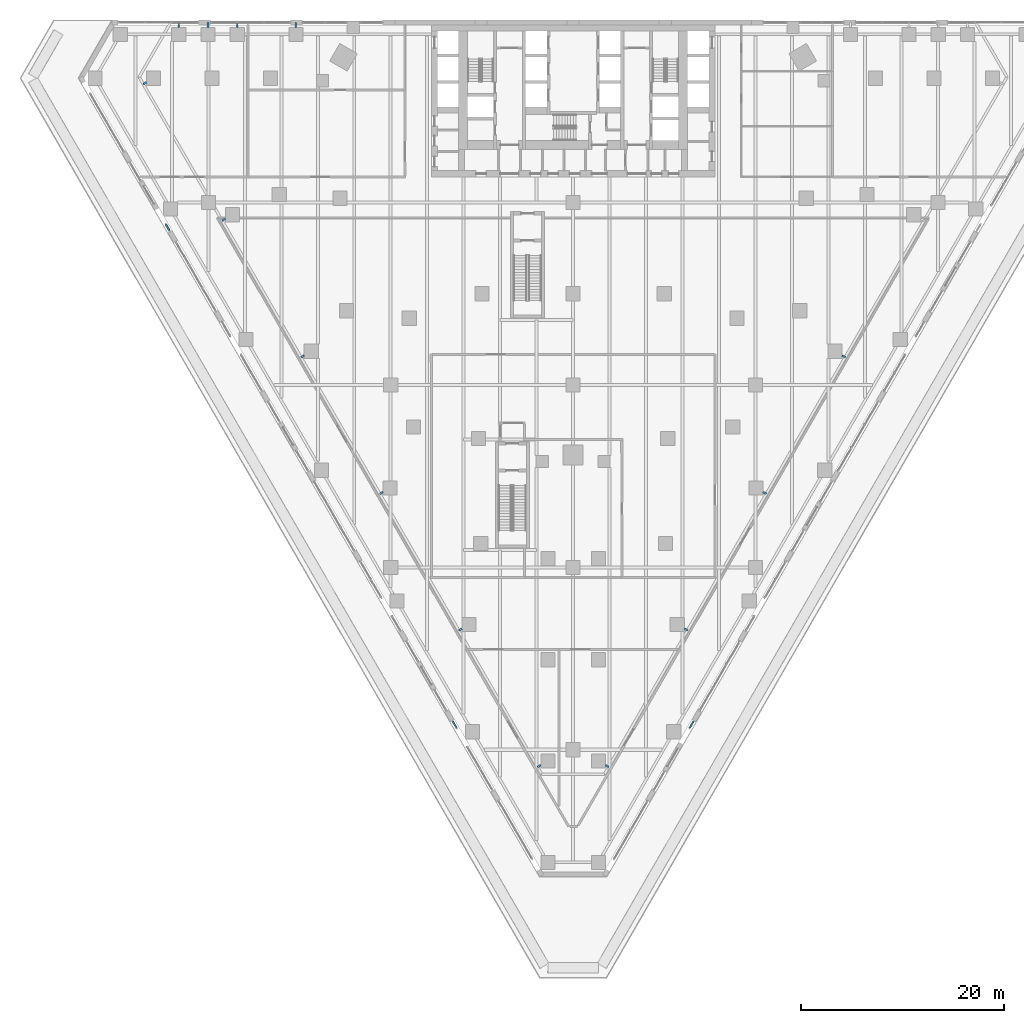
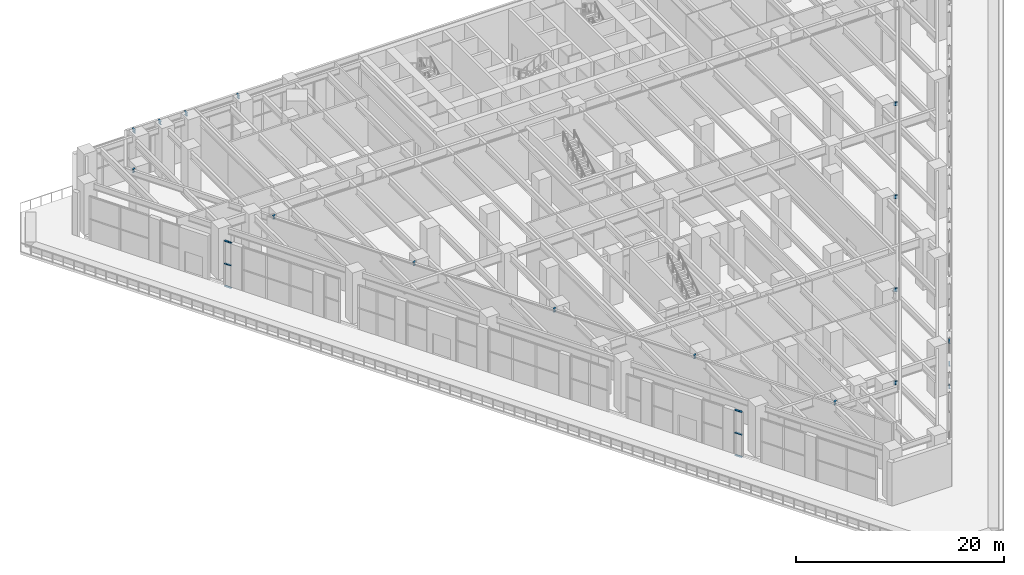
# One storey, part 19 of 40: 14 beams, 9 members, 3 elements without a shape of their own.
"""IFC4 building model written with IfcOpenShell, lengths in metres."""

from ifc_helpers import new_model, si_unit, direction, frame, origin, origin_2d, place, context, subcontext, project, spatial, rectangle, i_section, extrude, material, material_profile, profile_set, type_object, element, aggregate, save


model = new_model("IFC4")

# Units and contexts
model_context = context("Model", 3, precision=1e-05, world=origin(), true_north=direction((0.0, 1.0)))
body_context = subcontext(model_context, "Body", "Model", "MODEL_VIEW")
ifc_project = project(units=[si_unit("LENGTHUNIT", "METRE"), si_unit("AREAUNIT", "SQUARE_METRE"), si_unit("VOLUMEUNIT", "CUBIC_METRE"), si_unit("PLANEANGLEUNIT", "RADIAN"), si_unit("MASSUNIT", "GRAM", prefix="KILO")], contexts=[model_context])

# Site, building, storey
site_placement = place(None, origin())
site = spatial("IfcSite", under=ifc_project, at=site_placement, CompositionType="ELEMENT")
building_placement = place(site_placement, origin())
building = spatial("IfcBuilding", under=site, at=building_placement, Name="Aloe Facet Convention Tower", CompositionType="ELEMENT")
storey_placement = place(building_placement, frame((0.0, 0.0, 13.5)))
storey = spatial("IfcBuildingStorey", under=building, at=storey_placement, Name="L02", CompositionType="ELEMENT", Elevation=13.5)

# Beams
ifc_material_1 = material(Name="Steel S355", Category="steel")
ifc_material_profile_1 = material_profile(ifc_material_1, i_section(OverallWidth=0.177734375, OverallDepth=0.402587890625, WebThickness=0.0078125, FlangeThickness=0.010986328125, FilletRadius=0.01025390625, at=origin_2d()), Name="UB 406x178x54")
ifc_profile_set_1 = profile_set([ifc_material_profile_1], Name="Steel S355")
beam_type = type_object("IfcBeamType", Name="EV-BR-UB406x178x54", PredefinedType="BEAM", material=ifc_profile_set_1)
for number, where, z_axis, x_axis, name in (
    (1, (41.087890625, 134.300048828125, 5.548583984375), (0.0, 1.0, 0.0), (-1.0, 0.0, 0.0), "EB-L03-N-BR05"),
    (2, (43.9580078125, 134.300048828125, 5.548583984375), (0.0, 1.0, 0.0), (-1.0, 0.0, 0.0), "EB-L03-N-BR06"),
    (3, (46.861083984375, 134.300048828125, 5.548583984375), (0.0, 1.0, 0.0), (-1.0, 0.0, 0.0), "EB-L03-N-BR07"),
    (4, (52.635009765625, 134.300048828125, 5.548583984375), (0.0, 1.0, 0.0), (-1.0, 0.0, 0.0), "EB-L03-N-BR08"),
):
    element("IfcBeam", number, at=place(storey_placement, frame(where, z_axis=z_axis, x_axis=x_axis)), inside=storey, type_object=beam_type, Name=name, PredefinedType="BEAM", context=body_context, shape_type="SweptSolid", body=[
        extrude(i_section(OverallWidth=0.177734375, OverallDepth=0.402587890625, WebThickness=0.0078125, FlangeThickness=0.010986328125, FilletRadius=0.01025390625, at=origin_2d()), origin(), (0.0, 0.0, 1.0), 0.474853515625),
    ])
beam_1_placement = place(storey_placement, frame((37.89599609375, 128.8798828125, 5.548583984375), z_axis=(-0.865897129857, -0.500222111171, 0.0), x_axis=(0.500222111171, -0.865897129857, 0.0)))
element("IfcBeam", 5, at=beam_1_placement, inside=storey, type_object=beam_type, Name="EB-L03-W-BR01", PredefinedType="BEAM", context=body_context, shape_type="SweptSolid", body=[
    extrude(i_section(OverallWidth=0.177734375, OverallDepth=0.402587890625, WebThickness=0.0078125, FlangeThickness=0.010986328125, FilletRadius=0.01025390625, at=origin_2d()), origin(), (0.0, 0.0, 1.0), 0.366455078125),
])
beam_2_placement = place(storey_placement, frame((45.678955078125, 115.40087890625, 5.548583984375), z_axis=(-0.866108113019, -0.499856716032, 0.0), x_axis=(0.499856716032, -0.866108113019, 0.0)))
element("IfcBeam", 6, at=beam_2_placement, inside=storey, type_object=beam_type, Name="EB-L03-W-BR02", PredefinedType="BEAM", context=body_context, shape_type="SweptSolid", body=[
    extrude(i_section(OverallWidth=0.177734375, OverallDepth=0.402587890625, WebThickness=0.0078125, FlangeThickness=0.010986328125, FilletRadius=0.01025390625, at=origin_2d()), origin(), (0.0, 0.0, 1.0), 0.3671875),
])
beam_3_placement = place(storey_placement, frame((53.4609375, 101.9208984375, 5.548583984375), z_axis=(-0.866063652425, -0.499933745558, 0.0), x_axis=(0.499933745558, -0.866063652425, 0.0)))
element("IfcBeam", 7, at=beam_3_placement, inside=storey, type_object=beam_type, Name="EB-L03-W-BR03", PredefinedType="BEAM", context=body_context, shape_type="SweptSolid", body=[
    extrude(i_section(OverallWidth=0.177734375, OverallDepth=0.402587890625, WebThickness=0.0078125, FlangeThickness=0.010986328125, FilletRadius=0.01025390625, at=origin_2d()), origin(), (0.0, 0.0, 1.0), 0.36669921875),
])
beam_4_placement = place(storey_placement, frame((61.242919921875, 88.44091796875, 5.548583984375), z_axis=(-0.866019052629, -0.500011000363, 0.0), x_axis=(0.500011000363, -0.866019052629, 0.0)))
element("IfcBeam", 8, at=beam_4_placement, inside=storey, type_object=beam_type, Name="EB-L03-W-BR04", PredefinedType="BEAM", context=body_context, shape_type="SweptSolid", body=[
    extrude(i_section(OverallWidth=0.177734375, OverallDepth=0.402587890625, WebThickness=0.0078125, FlangeThickness=0.010986328125, FilletRadius=0.01025390625, at=origin_2d()), origin(), (0.0, 0.0, 1.0), 0.3662109375),
])
beam_5_placement = place(storey_placement, frame((69.02587890625, 74.9619140625, 5.548583984375), z_axis=(-0.865775377446, -0.500432808485, 0.0), x_axis=(0.500432808485, -0.865775377446, 0.0)))
element("IfcBeam", 9, at=beam_5_placement, inside=storey, type_object=beam_type, Name="EB-L03-W-BR05", PredefinedType="BEAM", context=body_context, shape_type="SweptSolid", body=[
    extrude(i_section(OverallWidth=0.177734375, OverallDepth=0.402587890625, WebThickness=0.0078125, FlangeThickness=0.010986328125, FilletRadius=0.01025390625, at=origin_2d()), origin(), (0.0, 0.0, 1.0), 0.366943359375),
])
beam_6_placement = place(storey_placement, frame((76.80810546875, 61.48193359375, 5.548583984375), z_axis=(-0.865897129857, -0.500222111171, 0.0), x_axis=(0.500222111171, -0.865897129857, 0.0)))
element("IfcBeam", 10, at=beam_6_placement, inside=storey, type_object=beam_type, Name="EB-L03-W-BR06", PredefinedType="BEAM", context=body_context, shape_type="SweptSolid", body=[
    extrude(i_section(OverallWidth=0.177734375, OverallDepth=0.402587890625, WebThickness=0.0078125, FlangeThickness=0.010986328125, FilletRadius=0.01025390625, at=origin_2d()), origin(), (0.0, 0.0, 1.0), 0.366455078125),
])
beam_7_placement = place(storey_placement, frame((106.5390625, 101.9208984375, 5.548583984375), z_axis=(0.866063652425, -0.499933745558, 0.0), x_axis=(0.499933745558, 0.866063652425, 0.0)))
element("IfcBeam", 11, at=beam_7_placement, inside=storey, type_object=beam_type, Name="EB-L03-E-BR01", PredefinedType="BEAM", context=body_context, shape_type="SweptSolid", body=[
    extrude(i_section(OverallWidth=0.177734375, OverallDepth=0.402587890625, WebThickness=0.0078125, FlangeThickness=0.010986328125, FilletRadius=0.01025390625, at=origin_2d()), origin(), (0.0, 0.0, 1.0), 0.36669921875),
])
beam_8_placement = place(storey_placement, frame((83.19189453125, 61.48193359375, 5.548583984375), z_axis=(0.865897129857, -0.500222111171, 0.0), x_axis=(0.500222111171, 0.865897129857, 0.0)))
element("IfcBeam", 12, at=beam_8_placement, inside=storey, type_object=beam_type, Name="EB-L03-E-BR04", PredefinedType="BEAM", context=body_context, shape_type="SweptSolid", body=[
    extrude(i_section(OverallWidth=0.177734375, OverallDepth=0.402587890625, WebThickness=0.0078125, FlangeThickness=0.010986328125, FilletRadius=0.01025390625, at=origin_2d()), origin(), (0.0, 0.0, 1.0), 0.366455078125),
])
beam_9_placement = place(storey_placement, frame((90.97412109375, 74.9619140625, 5.548583984375), z_axis=(0.865775377446, -0.500432808485, 0.0), x_axis=(0.500432808485, 0.865775377446, 0.0)))
element("IfcBeam", 13, at=beam_9_placement, inside=storey, type_object=beam_type, Name="EB-L03-E-BR05", PredefinedType="BEAM", context=body_context, shape_type="SweptSolid", body=[
    extrude(i_section(OverallWidth=0.177734375, OverallDepth=0.402587890625, WebThickness=0.0078125, FlangeThickness=0.010986328125, FilletRadius=0.01025390625, at=origin_2d()), origin(), (0.0, 0.0, 1.0), 0.366943359375),
])
beam_10_placement = place(storey_placement, frame((98.757080078125, 88.44091796875, 5.548583984375), z_axis=(0.866019052629, -0.500011000363, 0.0), x_axis=(0.500011000363, 0.866019052629, 0.0)))
element("IfcBeam", 14, at=beam_10_placement, inside=storey, type_object=beam_type, Name="EB-L03-E-BR06", PredefinedType="BEAM", context=body_context, shape_type="SweptSolid", body=[
    extrude(i_section(OverallWidth=0.177734375, OverallDepth=0.402587890625, WebThickness=0.0078125, FlangeThickness=0.010986328125, FilletRadius=0.01025390625, at=origin_2d()), origin(), (0.0, 0.0, 1.0), 0.3662109375),
])

# Curtain wall, members
ifc_material_2 = material(Name="Aluminium, anodised", Category="aluminium")
curtain_wall_type = type_object("IfcCurtainWallType", Name="EV-CW-HALL", PredefinedType="USERDEFINED", material=ifc_material_2)
curtain_wall_1_placement = place(storey_placement, origin())
curtain_wall_1 = element("IfcCurtainWall", 15, at=curtain_wall_1_placement, inside=storey, type_object=curtain_wall_type, Name="CW-L02-W04B", ObjectType="UNITISED HALL GLAZING", PredefinedType="USERDEFINED")
ifc_material_3 = material(Name="Aluminium, anodised", Category="aluminium")
ifc_material_profile_2 = material_profile(ifc_material_3, rectangle(XDim=0.159912109375, YDim=0.06494140625, at=origin_2d()), Name="AL 160x65")
ifc_profile_set_2 = profile_set([ifc_material_profile_2], Name="Aluminium, anodised")
member_type = type_object("IfcMemberType", Name="EV-TRAN-HALL", PredefinedType="USERDEFINED", material=ifc_profile_set_2)
member_1_placement = place(storey_placement, frame((39.797119140625, 114.85400390625, -0.267578125), z_axis=(0.500112705049, -0.865960323715, 0.0), x_axis=(0.865960323715, 0.500112705049, 0.0)))
member_1 = element("IfcMember", 16, at=member_1_placement, type_object=member_type, Name="CW-L02-W04B transom 1.1", ObjectType="TRANSOM", PredefinedType="USERDEFINED", context=body_context, shape_type="SweptSolid", body=[
    extrude(rectangle(XDim=0.159912109375, YDim=0.06494140625, at=origin_2d()), origin(), (0.0, 0.0, 1.0), 0.739990234375),
])
member_2_placement = place(storey_placement, frame((39.797119140625, 114.85400390625, 2.38134765625), z_axis=(0.500112705049, -0.865960323715, 0.0), x_axis=(0.865960323715, 0.500112705049, 0.0)))
member_2 = element("IfcMember", 17, at=member_2_placement, type_object=member_type, Name="CW-L02-W04B transom 1.2", ObjectType="TRANSOM", PredefinedType="USERDEFINED", context=body_context, shape_type="SweptSolid", body=[
    extrude(rectangle(XDim=0.159912109375, YDim=0.06494140625, at=origin_2d()), origin(), (0.0, 0.0, 1.0), 0.739990234375),
])
member_3_placement = place(storey_placement, frame((39.797119140625, 114.85400390625, 5.030029296875), z_axis=(0.500112705049, -0.865960323715, 0.0), x_axis=(0.865960323715, 0.500112705049, 0.0)))
member_3 = element("IfcMember", 18, at=member_3_placement, type_object=member_type, Name="CW-L02-W04B transom 1.3", ObjectType="TRANSOM", PredefinedType="USERDEFINED", context=body_context, shape_type="SweptSolid", body=[
    extrude(rectangle(XDim=0.159912109375, YDim=0.06494140625, at=origin_2d()), origin(), (0.0, 0.0, 1.0), 0.739990234375),
])
aggregate(curtain_wall_1, [member_1, member_2, member_3])

curtain_wall_2_placement = place(storey_placement, origin())
curtain_wall_2 = element("IfcCurtainWall", 19, at=curtain_wall_2_placement, inside=storey, type_object=curtain_wall_type, Name="CW-L02-W18-1", ObjectType="UNITISED HALL GLAZING", PredefinedType="USERDEFINED")
member_4_placement = place(storey_placement, frame((68.128662109375, 65.782470703125, -0.267578125), z_axis=(0.499760554732, -0.866163603446, 0.0), x_axis=(0.866163603446, 0.499760554732, 0.0)))
member_4 = element("IfcMember", 20, at=member_4_placement, type_object=member_type, Name="CW-L02-W18-1 transom 1.1", ObjectType="TRANSOM", PredefinedType="USERDEFINED", context=body_context, shape_type="SweptSolid", body=[
    extrude(rectangle(XDim=0.159912109375, YDim=0.06494140625, at=origin_2d()), origin(), (0.0, 0.0, 1.0), 0.739501953125),
])
member_5_placement = place(storey_placement, frame((68.128662109375, 65.782470703125, 2.38134765625), z_axis=(0.499760554732, -0.866163603446, 0.0), x_axis=(0.866163603446, 0.499760554732, 0.0)))
member_5 = element("IfcMember", 21, at=member_5_placement, type_object=member_type, Name="CW-L02-W18-1 transom 1.2", ObjectType="TRANSOM", PredefinedType="USERDEFINED", context=body_context, shape_type="SweptSolid", body=[
    extrude(rectangle(XDim=0.159912109375, YDim=0.06494140625, at=origin_2d()), origin(), (0.0, 0.0, 1.0), 0.739501953125),
])
member_6_placement = place(storey_placement, frame((68.128662109375, 65.782470703125, 5.030029296875), z_axis=(0.499760554732, -0.866163603446, 0.0), x_axis=(0.866163603446, 0.499760554732, 0.0)))
member_6 = element("IfcMember", 22, at=member_6_placement, type_object=member_type, Name="CW-L02-W18-1 transom 1.3", ObjectType="TRANSOM", PredefinedType="USERDEFINED", context=body_context, shape_type="SweptSolid", body=[
    extrude(rectangle(XDim=0.159912109375, YDim=0.06494140625, at=origin_2d()), origin(), (0.0, 0.0, 1.0), 0.739501953125),
])
aggregate(curtain_wall_2, [member_4, member_5, member_6])

curtain_wall_3_placement = place(storey_placement, origin())
curtain_wall_3 = element("IfcCurtainWall", 23, at=curtain_wall_3_placement, inside=storey, type_object=curtain_wall_type, Name="CW-L02-E04B", ObjectType="UNITISED HALL GLAZING", PredefinedType="USERDEFINED")
member_7_placement = place(storey_placement, frame((91.501708984375, 65.141845703125, -0.267578125), z_axis=(0.499760554732, 0.866163603446, 0.0), x_axis=(-0.866163603446, 0.499760554732, 0.0)))
member_7 = element("IfcMember", 24, at=member_7_placement, type_object=member_type, Name="CW-L02-E04B transom 1.1", ObjectType="TRANSOM", PredefinedType="USERDEFINED", context=body_context, shape_type="SweptSolid", body=[
    extrude(rectangle(XDim=0.159912109375, YDim=0.06494140625, at=origin_2d()), origin(), (0.0, 0.0, 1.0), 0.739501953125),
])
member_8_placement = place(storey_placement, frame((91.501708984375, 65.141845703125, 2.38134765625), z_axis=(0.499760554732, 0.866163603446, 0.0), x_axis=(-0.866163603446, 0.499760554732, 0.0)))
member_8 = element("IfcMember", 25, at=member_8_placement, type_object=member_type, Name="CW-L02-E04B transom 1.2", ObjectType="TRANSOM", PredefinedType="USERDEFINED", context=body_context, shape_type="SweptSolid", body=[
    extrude(rectangle(XDim=0.159912109375, YDim=0.06494140625, at=origin_2d()), origin(), (0.0, 0.0, 1.0), 0.739501953125),
])
member_9_placement = place(storey_placement, frame((91.501708984375, 65.141845703125, 5.030029296875), z_axis=(0.499760554732, 0.866163603446, 0.0), x_axis=(-0.866163603446, 0.499760554732, 0.0)))
member_9 = element("IfcMember", 26, at=member_9_placement, type_object=member_type, Name="CW-L02-E04B transom 1.3", ObjectType="TRANSOM", PredefinedType="USERDEFINED", context=body_context, shape_type="SweptSolid", body=[
    extrude(rectangle(XDim=0.159912109375, YDim=0.06494140625, at=origin_2d()), origin(), (0.0, 0.0, 1.0), 0.739501953125),
])
aggregate(curtain_wall_3, [member_7, member_8, member_9])

save(model, "model.ifc")
